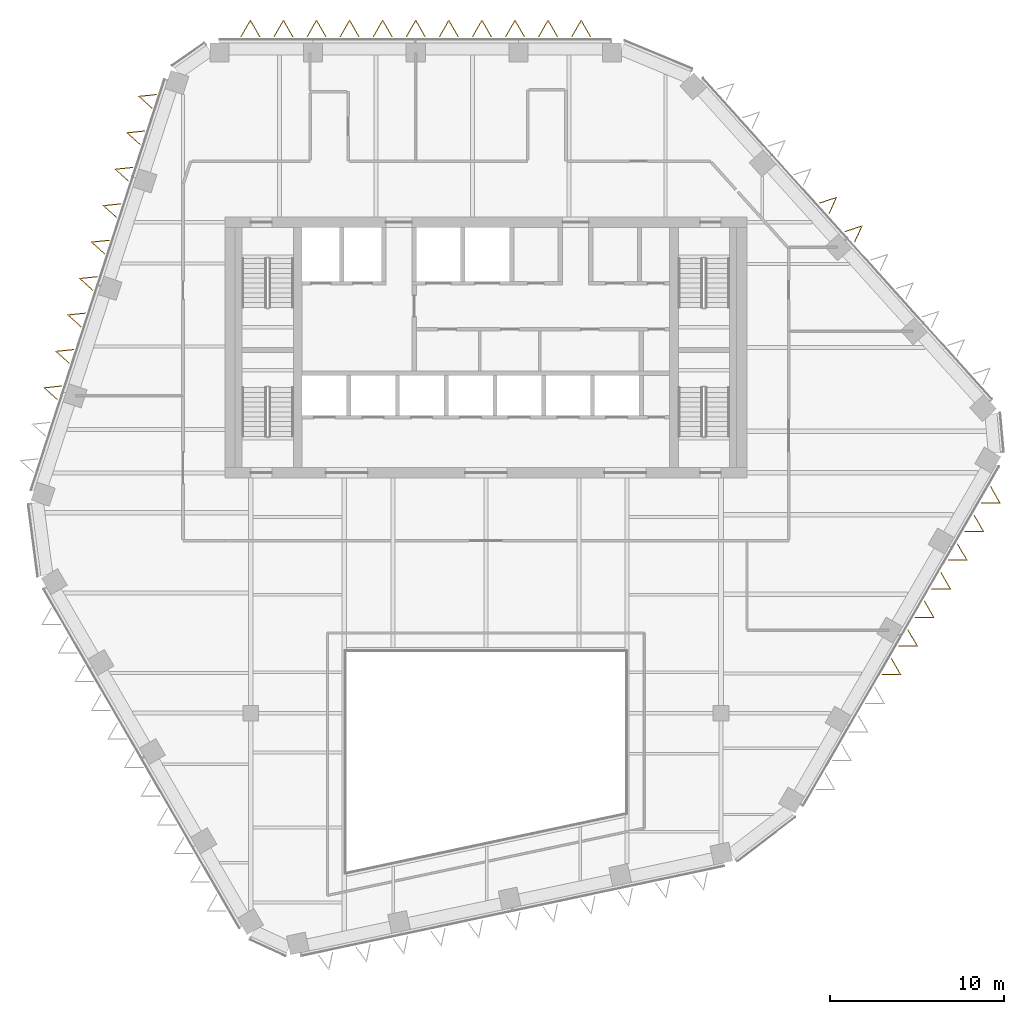
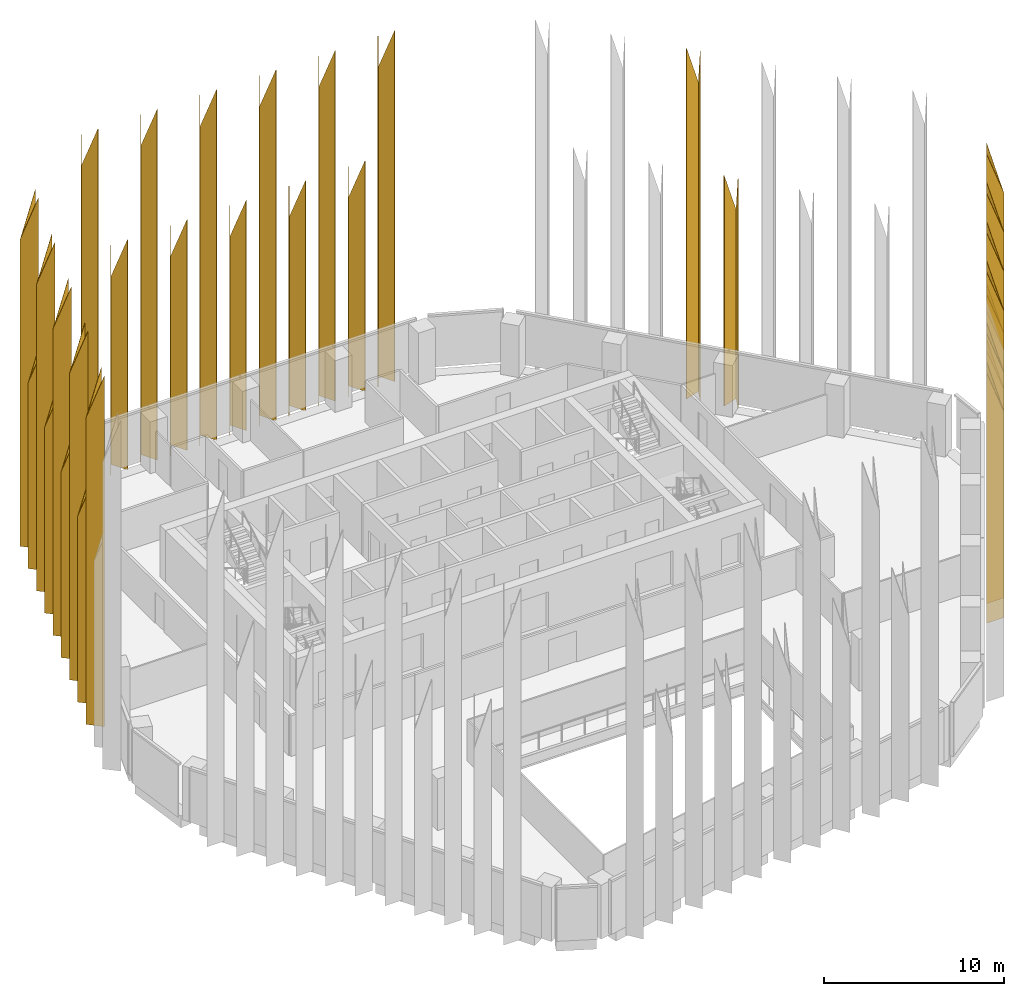
# One storey, part 17 of 18: 29 coverings.
"""IFC4 building model written with IfcOpenShell, lengths in metres."""

from ifc_helpers import new_model, si_unit, direction, frame, origin, place, context, subcontext, project, spatial, polyline, outline, faceted_brep, material, material_profile, profile_set, type_object, element, save


model = new_model("IFC4")

# Units and contexts
model_context = context("Model", 3, precision=1e-05, world=origin(), true_north=direction((0.0, 1.0)))
body_context = subcontext(model_context, "Body", "Model", "MODEL_VIEW")
ifc_project = project(units=[si_unit("LENGTHUNIT", "METRE"), si_unit("AREAUNIT", "SQUARE_METRE"), si_unit("VOLUMEUNIT", "CUBIC_METRE"), si_unit("PLANEANGLEUNIT", "RADIAN"), si_unit("MASSUNIT", "GRAM", prefix="KILO")], contexts=[model_context])

# Site, building, storey
site_placement = place(None, origin())
site = spatial("IfcSite", under=ifc_project, at=site_placement, CompositionType="ELEMENT")
building_placement = place(site_placement, origin())
building = spatial("IfcBuilding", under=site, at=building_placement, Name="Isthmus Gate Tower", CompositionType="ELEMENT")
storey_placement = place(building_placement, frame((0.0, 0.0, 238.199951171875)))
storey = spatial("IfcBuildingStorey", under=building, at=storey_placement, Name="L60", CompositionType="ELEMENT", Elevation=238.199951171875)

# Coverings
ifc_material_1 = material(Name="Structural steel ASTM A572 Gr 50, white paint system", Category="steel")
ifc_material_profile_1 = material_profile(ifc_material_1, outline(polyline([(0.0, -0.427490234375), (0.9599609375, 0.0), (0.0, 0.427490234375), (0.0, 0.39453125), (0.88623046875, 0.0), (0.0, -0.39453125), (0.0, -0.427490234375)])), Name="V960")
ifc_profile_set_1 = profile_set([ifc_material_profile_1], Name="Structural steel ASTM A572 Gr 50, white paint system")
covering_type_1 = type_object("IfcCoveringType", Name="FIN V 960 DEEP", PredefinedType="CLADDING", material=ifc_profile_set_1)
covering_1_placement = place(storey_placement, frame((0.0, 0.0, -238.199951171875)))
element("IfcCovering", 1, at=covering_1_placement, inside=storey, type_object=covering_type_1, Name="FIN", ObjectType="FIN", PredefinedType="CLADDING", context=body_context, shape_type="Brep", body=[
    faceted_brep([(-18.92822265625, 22.01171875, 237.800048828125), (-19.892822265625, 21.910400390625, 237.800048828125), (-19.171875, 21.26123046875, 237.800048828125), (-19.18212890625, 21.22998046875, 237.800048828125), (-19.963134765625, 21.93310546875, 237.800048828125), (-18.91796875, 22.04296875, 237.800048828125), (-18.91796875, 22.04296875, 261.550048828125), (-19.963134765625, 21.93310546875, 258.550048828125), (-19.18212890625, 21.22998046875, 261.550048828125), (-19.171875, 21.26123046875, 261.550048828125), (-19.892822265625, 21.910400390625, 258.780517578125), (-18.92822265625, 22.01171875, 261.550048828125)], [[[0, 1, 2, 3, 4, 5]], [[6, 7, 8, 9, 10, 11]], [[5, 4, 7, 6]], [[4, 3, 8, 7]], [[3, 2, 9, 8]], [[2, 1, 10, 9]], [[1, 0, 11, 10]], [[0, 5, 6, 11]]]),
])
covering_2_placement = place(storey_placement, frame((0.0, 0.0, -238.199951171875)))
element("IfcCovering", 2, at=covering_2_placement, inside=storey, type_object=covering_type_1, Name="FIN", ObjectType="FIN", PredefinedType="CLADDING", context=body_context, shape_type="Brep", body=[
    faceted_brep([(-19.608154296875, 19.91943359375, 237.800048828125), (-20.57275390625, 19.818115234375, 237.800048828125), (-19.851806640625, 19.1689453125, 237.800048828125), (-19.862060546875, 19.1376953125, 237.800048828125), (-20.64306640625, 19.8408203125, 237.800048828125), (-19.597900390625, 19.95068359375, 237.800048828125), (-19.597900390625, 19.95068359375, 253.39990234375), (-20.64306640625, 19.8408203125, 250.39990234375), (-19.862060546875, 19.1376953125, 253.39990234375), (-19.851806640625, 19.1689453125, 253.39990234375), (-20.57275390625, 19.818115234375, 250.63037109375), (-19.608154296875, 19.91943359375, 253.39990234375)], [[[0, 1, 2, 3, 4, 5]], [[6, 7, 8, 9, 10, 11]], [[5, 4, 7, 6]], [[4, 3, 8, 7]], [[3, 2, 9, 8]], [[2, 1, 10, 9]], [[1, 0, 11, 10]], [[0, 5, 6, 11]]]),
])
covering_3_placement = place(storey_placement, frame((0.0, 0.0, -238.199951171875)))
element("IfcCovering", 3, at=covering_3_placement, inside=storey, type_object=covering_type_1, Name="FIN", ObjectType="FIN", PredefinedType="CLADDING", context=body_context, shape_type="Brep", body=[
    faceted_brep([(-20.287841796875, 17.826904296875, 237.800048828125), (-21.25244140625, 17.7255859375, 237.800048828125), (-20.531494140625, 17.076416015625, 237.800048828125), (-20.541748046875, 17.045166015625, 237.800048828125), (-21.32275390625, 17.748291015625, 237.800048828125), (-20.277587890625, 17.858154296875, 237.800048828125), (-20.277587890625, 17.858154296875, 261.550048828125), (-21.32275390625, 17.748291015625, 258.550048828125), (-20.541748046875, 17.045166015625, 261.550048828125), (-20.531494140625, 17.076416015625, 261.550048828125), (-21.25244140625, 17.7255859375, 258.780517578125), (-20.287841796875, 17.826904296875, 261.550048828125)], [[[0, 1, 2, 3, 4, 5]], [[6, 7, 8, 9, 10, 11]], [[5, 4, 7, 6]], [[4, 3, 8, 7]], [[3, 2, 9, 8]], [[2, 1, 10, 9]], [[1, 0, 11, 10]], [[0, 5, 6, 11]]]),
])
covering_4_placement = place(storey_placement, frame((0.0, 0.0, -238.199951171875)))
element("IfcCovering", 4, at=covering_4_placement, inside=storey, type_object=covering_type_1, Name="FIN", ObjectType="FIN", PredefinedType="CLADDING", context=body_context, shape_type="Brep", body=[
    faceted_brep([(-20.9677734375, 15.734619140625, 237.800048828125), (-21.932373046875, 15.63330078125, 237.800048828125), (-21.21142578125, 14.984130859375, 237.800048828125), (-21.2216796875, 14.952880859375, 237.800048828125), (-22.002685546875, 15.656005859375, 237.800048828125), (-20.95751953125, 15.765869140625, 237.800048828125), (-20.95751953125, 15.765869140625, 253.39990234375), (-22.002685546875, 15.656005859375, 250.39990234375), (-21.2216796875, 14.952880859375, 253.39990234375), (-21.21142578125, 14.984130859375, 253.39990234375), (-21.932373046875, 15.63330078125, 250.63037109375), (-20.9677734375, 15.734619140625, 253.39990234375)], [[[0, 1, 2, 3, 4, 5]], [[6, 7, 8, 9, 10, 11]], [[5, 4, 7, 6]], [[4, 3, 8, 7]], [[3, 2, 9, 8]], [[2, 1, 10, 9]], [[1, 0, 11, 10]], [[0, 5, 6, 11]]]),
])
covering_5_placement = place(storey_placement, frame((0.0, 0.0, -238.199951171875)))
element("IfcCovering", 5, at=covering_5_placement, inside=storey, type_object=covering_type_1, Name="FIN", ObjectType="FIN", PredefinedType="CLADDING", context=body_context, shape_type="Brep", body=[
    faceted_brep([(-21.6474609375, 13.642333984375, 237.800048828125), (-22.612060546875, 13.541015625, 237.800048828125), (-21.89111328125, 12.891845703125, 237.800048828125), (-21.9013671875, 12.860595703125, 237.800048828125), (-22.682373046875, 13.563720703125, 237.800048828125), (-21.63720703125, 13.673583984375, 237.800048828125), (-21.63720703125, 13.673583984375, 261.550048828125), (-22.682373046875, 13.563720703125, 258.550048828125), (-21.9013671875, 12.860595703125, 261.550048828125), (-21.89111328125, 12.891845703125, 261.550048828125), (-22.612060546875, 13.541015625, 258.780517578125), (-21.6474609375, 13.642333984375, 261.550048828125)], [[[0, 1, 2, 3, 4, 5]], [[6, 7, 8, 9, 10, 11]], [[5, 4, 7, 6]], [[4, 3, 8, 7]], [[3, 2, 9, 8]], [[2, 1, 10, 9]], [[1, 0, 11, 10]], [[0, 5, 6, 11]]]),
])
covering_6_placement = place(storey_placement, frame((0.0, 0.0, -238.199951171875)))
element("IfcCovering", 6, at=covering_6_placement, inside=storey, type_object=covering_type_1, Name="FIN", ObjectType="FIN", PredefinedType="CLADDING", context=body_context, shape_type="Brep", body=[
    faceted_brep([(-22.327392578125, 11.550048828125, 237.800048828125), (-23.2919921875, 11.44873046875, 237.800048828125), (-22.571044921875, 10.799560546875, 237.800048828125), (-22.581298828125, 10.768310546875, 237.800048828125), (-23.3623046875, 11.471435546875, 237.800048828125), (-22.317138671875, 11.581298828125, 237.800048828125), (-22.317138671875, 11.581298828125, 253.39990234375), (-23.3623046875, 11.471435546875, 250.39990234375), (-22.581298828125, 10.768310546875, 253.39990234375), (-22.571044921875, 10.799560546875, 253.39990234375), (-23.2919921875, 11.44873046875, 250.63037109375), (-22.327392578125, 11.550048828125, 253.39990234375)], [[[0, 1, 2, 3, 4, 5]], [[6, 7, 8, 9, 10, 11]], [[5, 4, 7, 6]], [[4, 3, 8, 7]], [[3, 2, 9, 8]], [[2, 1, 10, 9]], [[1, 0, 11, 10]], [[0, 5, 6, 11]]]),
])
covering_7_placement = place(storey_placement, frame((0.0, 0.0, -238.199951171875)))
element("IfcCovering", 7, at=covering_7_placement, inside=storey, type_object=covering_type_1, Name="FIN", ObjectType="FIN", PredefinedType="CLADDING", context=body_context, shape_type="Brep", body=[
    faceted_brep([(-23.00732421875, 9.457763671875, 237.800048828125), (-23.971923828125, 9.3564453125, 237.800048828125), (-23.2509765625, 8.707275390625, 237.800048828125), (-23.26123046875, 8.676025390625, 237.800048828125), (-24.042236328125, 9.379150390625, 237.800048828125), (-22.9970703125, 9.489013671875, 237.800048828125), (-22.9970703125, 9.489013671875, 261.550048828125), (-24.042236328125, 9.379150390625, 258.550048828125), (-23.26123046875, 8.676025390625, 261.550048828125), (-23.2509765625, 8.707275390625, 261.550048828125), (-23.971923828125, 9.3564453125, 258.780517578125), (-23.00732421875, 9.457763671875, 261.550048828125)], [[[0, 1, 2, 3, 4, 5]], [[6, 7, 8, 9, 10, 11]], [[5, 4, 7, 6]], [[4, 3, 8, 7]], [[3, 2, 9, 8]], [[2, 1, 10, 9]], [[1, 0, 11, 10]], [[0, 5, 6, 11]]]),
])
covering_8_placement = place(storey_placement, frame((0.0, 0.0, -238.199951171875)))
element("IfcCovering", 8, at=covering_8_placement, inside=storey, type_object=covering_type_1, Name="FIN", ObjectType="FIN", PredefinedType="CLADDING", context=body_context, shape_type="Brep", body=[
    faceted_brep([(-23.68701171875, 7.365478515625, 237.800048828125), (-24.651611328125, 7.26416015625, 237.800048828125), (-23.9306640625, 6.614990234375, 237.800048828125), (-23.94091796875, 6.583740234375, 237.800048828125), (-24.721923828125, 7.286865234375, 237.800048828125), (-23.6767578125, 7.396728515625, 237.800048828125), (-23.6767578125, 7.396728515625, 253.39990234375), (-24.721923828125, 7.286865234375, 250.39990234375), (-23.94091796875, 6.583740234375, 253.39990234375), (-23.9306640625, 6.614990234375, 253.39990234375), (-24.651611328125, 7.26416015625, 250.63037109375), (-23.68701171875, 7.365478515625, 253.39990234375)], [[[0, 1, 2, 3, 4, 5]], [[6, 7, 8, 9, 10, 11]], [[5, 4, 7, 6]], [[4, 3, 8, 7]], [[3, 2, 9, 8]], [[2, 1, 10, 9]], [[1, 0, 11, 10]], [[0, 5, 6, 11]]]),
])
covering_9_placement = place(storey_placement, frame((0.0, 0.0, -238.199951171875)))
element("IfcCovering", 9, at=covering_9_placement, inside=storey, type_object=covering_type_1, Name="FIN", ObjectType="FIN", PredefinedType="CLADDING", context=body_context, shape_type="Brep", body=[
    faceted_brep([(-24.366943359375, 5.273193359375, 237.800048828125), (-25.33154296875, 5.171875, 237.800048828125), (-24.610595703125, 4.522705078125, 237.800048828125), (-24.620849609375, 4.491455078125, 237.800048828125), (-25.40185546875, 5.194580078125, 237.800048828125), (-24.356689453125, 5.304443359375, 237.800048828125), (-24.356689453125, 5.304443359375, 261.550048828125), (-25.40185546875, 5.194580078125, 258.550048828125), (-24.620849609375, 4.491455078125, 261.550048828125), (-24.610595703125, 4.522705078125, 261.550048828125), (-25.33154296875, 5.171875, 258.780517578125), (-24.366943359375, 5.273193359375, 261.550048828125)], [[[0, 1, 2, 3, 4, 5]], [[6, 7, 8, 9, 10, 11]], [[5, 4, 7, 6]], [[4, 3, 8, 7]], [[3, 2, 9, 8]], [[2, 1, 10, 9]], [[1, 0, 11, 10]], [[0, 5, 6, 11]]]),
])
covering_10_placement = place(storey_placement, frame((0.0, 0.0, -238.199951171875)))
element("IfcCovering", 10, at=covering_10_placement, inside=storey, type_object=covering_type_1, Name="FIN", ObjectType="FIN", PredefinedType="CLADDING", context=body_context, shape_type="Brep", body=[
    faceted_brep([(21.166259765625, 13.56103515625, 237.800048828125), (21.56103515625, 14.447265625, 237.800048828125), (20.638427734375, 14.1474609375, 237.800048828125), (20.616455078125, 14.171875, 237.800048828125), (21.61572265625, 14.49658203125, 237.800048828125), (21.188232421875, 13.53662109375, 237.800048828125), (21.188232421875, 13.53662109375, 253.39990234375), (21.61572265625, 14.49658203125, 250.39990234375), (20.616455078125, 14.171875, 253.39990234375), (20.638427734375, 14.1474609375, 253.39990234375), (21.56103515625, 14.447265625, 250.63037109375), (21.166259765625, 13.56103515625, 253.39990234375)], [[[0, 1, 2, 3, 4, 5]], [[6, 7, 8, 9, 10, 11]], [[5, 4, 7, 6]], [[4, 3, 8, 7]], [[3, 2, 9, 8]], [[2, 1, 10, 9]], [[1, 0, 11, 10]], [[0, 5, 6, 11]]]),
])
covering_11_placement = place(storey_placement, frame((0.0, 0.0, -238.199951171875)))
element("IfcCovering", 11, at=covering_11_placement, inside=storey, type_object=covering_type_1, Name="FIN", ObjectType="FIN", PredefinedType="CLADDING", context=body_context, shape_type="Brep", body=[
    faceted_brep([(19.694091796875, 15.19580078125, 237.800048828125), (20.0888671875, 16.08203125, 237.800048828125), (19.166259765625, 15.7822265625, 237.800048828125), (19.144287109375, 15.806640625, 237.800048828125), (20.1435546875, 16.13134765625, 237.800048828125), (19.716064453125, 15.17138671875, 237.800048828125), (19.716064453125, 15.17138671875, 261.550048828125), (20.1435546875, 16.13134765625, 258.550048828125), (19.144287109375, 15.806640625, 261.550048828125), (19.166259765625, 15.7822265625, 261.550048828125), (20.0888671875, 16.08203125, 258.780517578125), (19.694091796875, 15.19580078125, 261.550048828125)], [[[0, 1, 2, 3, 4, 5]], [[6, 7, 8, 9, 10, 11]], [[5, 4, 7, 6]], [[4, 3, 8, 7]], [[3, 2, 9, 8]], [[2, 1, 10, 9]], [[1, 0, 11, 10]], [[0, 5, 6, 11]]]),
])
ifc_material_2 = material(Name="Structural steel ASTM A572 Gr 50, white paint system", Category="steel")
ifc_material_profile_2 = material_profile(ifc_material_2, outline(polyline([(0.0, -0.55419921875), (0.9599609375, 0.0), (0.0, 0.55419921875), (0.0, 0.51953125), (0.89990234375, 0.0), (0.0, -0.51953125), (0.0, -0.55419921875)])), Name="V960W")
ifc_profile_set_2 = profile_set([ifc_material_profile_2], Name="Structural steel ASTM A572 Gr 50, white paint system")
covering_type_2 = type_object("IfcCoveringType", Name="FIN V 960 DEEP WIDE", PredefinedType="CLADDING", material=ifc_profile_set_2)
covering_12_placement = place(storey_placement, frame((0.0, 0.0, -238.199951171875)))
element("IfcCovering", 12, at=covering_12_placement, inside=storey, type_object=covering_type_2, Name="FIN", ObjectType="FIN", PredefinedType="CLADDING", context=body_context, shape_type="Brep", body=[
    faceted_brep([(5.989501953125, 25.35009765625, 237.800048828125), (5.469970703125, 26.25, 237.800048828125), (4.950439453125, 25.35009765625, 237.800048828125), (4.915771484375, 25.35009765625, 237.800048828125), (5.469970703125, 26.31005859375, 237.800048828125), (6.024169921875, 25.35009765625, 237.800048828125), (6.024169921875, 25.35009765625, 261.550048828125), (5.469970703125, 26.31005859375, 258.550048828125), (4.915771484375, 25.35009765625, 261.550048828125), (4.950439453125, 25.35009765625, 261.550048828125), (5.469970703125, 26.25, 258.737548828125), (5.989501953125, 25.35009765625, 261.550048828125)], [[[0, 1, 2, 3, 4, 5]], [[6, 7, 8, 9, 10, 11]], [[5, 4, 7, 6]], [[4, 3, 8, 7]], [[3, 2, 9, 8]], [[2, 1, 10, 9]], [[1, 0, 11, 10]], [[0, 5, 6, 11]]]),
])
covering_13_placement = place(storey_placement, frame((0.0, 0.0, -238.199951171875)))
element("IfcCovering", 13, at=covering_13_placement, inside=storey, type_object=covering_type_2, Name="FIN", ObjectType="FIN", PredefinedType="CLADDING", context=body_context, shape_type="Brep", body=[
    faceted_brep([(4.08935546875, 25.35009765625, 237.800048828125), (3.56982421875, 26.25, 237.800048828125), (3.05029296875, 25.35009765625, 237.800048828125), (3.015625, 25.35009765625, 237.800048828125), (3.56982421875, 26.31005859375, 237.800048828125), (4.1240234375, 25.35009765625, 237.800048828125), (4.1240234375, 25.35009765625, 253.39990234375), (3.56982421875, 26.31005859375, 250.39990234375), (3.015625, 25.35009765625, 253.39990234375), (3.05029296875, 25.35009765625, 253.39990234375), (3.56982421875, 26.25, 250.58740234375), (4.08935546875, 25.35009765625, 253.39990234375)], [[[0, 1, 2, 3, 4, 5]], [[6, 7, 8, 9, 10, 11]], [[5, 4, 7, 6]], [[4, 3, 8, 7]], [[3, 2, 9, 8]], [[2, 1, 10, 9]], [[1, 0, 11, 10]], [[0, 5, 6, 11]]]),
])
covering_14_placement = place(storey_placement, frame((0.0, 0.0, -238.199951171875)))
element("IfcCovering", 14, at=covering_14_placement, inside=storey, type_object=covering_type_2, Name="FIN", ObjectType="FIN", PredefinedType="CLADDING", context=body_context, shape_type="Brep", body=[
    faceted_brep([(2.189453125, 25.35009765625, 237.800048828125), (1.669921875, 26.25, 237.800048828125), (1.150390625, 25.35009765625, 237.800048828125), (1.11572265625, 25.35009765625, 237.800048828125), (1.669921875, 26.31005859375, 237.800048828125), (2.22412109375, 25.35009765625, 237.800048828125), (2.22412109375, 25.35009765625, 261.550048828125), (1.669921875, 26.31005859375, 258.550048828125), (1.11572265625, 25.35009765625, 261.550048828125), (1.150390625, 25.35009765625, 261.550048828125), (1.669921875, 26.25, 258.737548828125), (2.189453125, 25.35009765625, 261.550048828125)], [[[0, 1, 2, 3, 4, 5]], [[6, 7, 8, 9, 10, 11]], [[5, 4, 7, 6]], [[4, 3, 8, 7]], [[3, 2, 9, 8]], [[2, 1, 10, 9]], [[1, 0, 11, 10]], [[0, 5, 6, 11]]]),
])
covering_15_placement = place(storey_placement, frame((0.0, 0.0, -238.199951171875)))
element("IfcCovering", 15, at=covering_15_placement, inside=storey, type_object=covering_type_2, Name="FIN", ObjectType="FIN", PredefinedType="CLADDING", context=body_context, shape_type="Brep", body=[
    faceted_brep([(0.28955078125, 25.35009765625, 237.800048828125), (-0.22998046875, 26.25, 237.800048828125), (-0.74951171875, 25.35009765625, 237.800048828125), (-0.7841796875, 25.35009765625, 237.800048828125), (-0.22998046875, 26.31005859375, 237.800048828125), (0.32421875, 25.35009765625, 237.800048828125), (0.32421875, 25.35009765625, 253.39990234375), (-0.22998046875, 26.31005859375, 250.39990234375), (-0.7841796875, 25.35009765625, 253.39990234375), (-0.74951171875, 25.35009765625, 253.39990234375), (-0.22998046875, 26.25, 250.58740234375), (0.28955078125, 25.35009765625, 253.39990234375)], [[[0, 1, 2, 3, 4, 5]], [[6, 7, 8, 9, 10, 11]], [[5, 4, 7, 6]], [[4, 3, 8, 7]], [[3, 2, 9, 8]], [[2, 1, 10, 9]], [[1, 0, 11, 10]], [[0, 5, 6, 11]]]),
])
covering_16_placement = place(storey_placement, frame((0.0, 0.0, -238.199951171875)))
element("IfcCovering", 16, at=covering_16_placement, inside=storey, type_object=covering_type_2, Name="FIN", ObjectType="FIN", PredefinedType="CLADDING", context=body_context, shape_type="Brep", body=[
    faceted_brep([(-1.610595703125, 25.35009765625, 237.800048828125), (-2.130126953125, 26.25, 237.800048828125), (-2.649658203125, 25.35009765625, 237.800048828125), (-2.684326171875, 25.35009765625, 237.800048828125), (-2.130126953125, 26.31005859375, 237.800048828125), (-1.575927734375, 25.35009765625, 237.800048828125), (-1.575927734375, 25.35009765625, 261.550048828125), (-2.130126953125, 26.31005859375, 258.550048828125), (-2.684326171875, 25.35009765625, 261.550048828125), (-2.649658203125, 25.35009765625, 261.550048828125), (-2.130126953125, 26.25, 258.737548828125), (-1.610595703125, 25.35009765625, 261.550048828125)], [[[0, 1, 2, 3, 4, 5]], [[6, 7, 8, 9, 10, 11]], [[5, 4, 7, 6]], [[4, 3, 8, 7]], [[3, 2, 9, 8]], [[2, 1, 10, 9]], [[1, 0, 11, 10]], [[0, 5, 6, 11]]]),
])
covering_17_placement = place(storey_placement, frame((0.0, 0.0, -238.199951171875)))
element("IfcCovering", 17, at=covering_17_placement, inside=storey, type_object=covering_type_2, Name="FIN", ObjectType="FIN", PredefinedType="CLADDING", context=body_context, shape_type="Brep", body=[
    faceted_brep([(-3.510498046875, 25.35009765625, 237.800048828125), (-4.030029296875, 26.25, 237.800048828125), (-4.549560546875, 25.35009765625, 237.800048828125), (-4.584228515625, 25.35009765625, 237.800048828125), (-4.030029296875, 26.31005859375, 237.800048828125), (-3.475830078125, 25.35009765625, 237.800048828125), (-3.475830078125, 25.35009765625, 253.39990234375), (-4.030029296875, 26.31005859375, 250.39990234375), (-4.584228515625, 25.35009765625, 253.39990234375), (-4.549560546875, 25.35009765625, 253.39990234375), (-4.030029296875, 26.25, 250.58740234375), (-3.510498046875, 25.35009765625, 253.39990234375)], [[[0, 1, 2, 3, 4, 5]], [[6, 7, 8, 9, 10, 11]], [[5, 4, 7, 6]], [[4, 3, 8, 7]], [[3, 2, 9, 8]], [[2, 1, 10, 9]], [[1, 0, 11, 10]], [[0, 5, 6, 11]]]),
])
covering_18_placement = place(storey_placement, frame((0.0, 0.0, -238.199951171875)))
element("IfcCovering", 18, at=covering_18_placement, inside=storey, type_object=covering_type_2, Name="FIN", ObjectType="FIN", PredefinedType="CLADDING", context=body_context, shape_type="Brep", body=[
    faceted_brep([(-5.41064453125, 25.35009765625, 237.800048828125), (-5.93017578125, 26.25, 237.800048828125), (-6.44970703125, 25.35009765625, 237.800048828125), (-6.484375, 25.35009765625, 237.800048828125), (-5.93017578125, 26.31005859375, 237.800048828125), (-5.3759765625, 25.35009765625, 237.800048828125), (-5.3759765625, 25.35009765625, 261.550048828125), (-5.93017578125, 26.31005859375, 258.550048828125), (-6.484375, 25.35009765625, 261.550048828125), (-6.44970703125, 25.35009765625, 261.550048828125), (-5.93017578125, 26.25, 258.737548828125), (-5.41064453125, 25.35009765625, 261.550048828125)], [[[0, 1, 2, 3, 4, 5]], [[6, 7, 8, 9, 10, 11]], [[5, 4, 7, 6]], [[4, 3, 8, 7]], [[3, 2, 9, 8]], [[2, 1, 10, 9]], [[1, 0, 11, 10]], [[0, 5, 6, 11]]]),
])
covering_19_placement = place(storey_placement, frame((0.0, 0.0, -238.199951171875)))
element("IfcCovering", 19, at=covering_19_placement, inside=storey, type_object=covering_type_2, Name="FIN", ObjectType="FIN", PredefinedType="CLADDING", context=body_context, shape_type="Brep", body=[
    faceted_brep([(-7.310546875, 25.35009765625, 237.800048828125), (-7.830078125, 26.25, 237.800048828125), (-8.349609375, 25.35009765625, 237.800048828125), (-8.38427734375, 25.35009765625, 237.800048828125), (-7.830078125, 26.31005859375, 237.800048828125), (-7.27587890625, 25.35009765625, 237.800048828125), (-7.27587890625, 25.35009765625, 253.39990234375), (-7.830078125, 26.31005859375, 250.39990234375), (-8.38427734375, 25.35009765625, 253.39990234375), (-8.349609375, 25.35009765625, 253.39990234375), (-7.830078125, 26.25, 250.58740234375), (-7.310546875, 25.35009765625, 253.39990234375)], [[[0, 1, 2, 3, 4, 5]], [[6, 7, 8, 9, 10, 11]], [[5, 4, 7, 6]], [[4, 3, 8, 7]], [[3, 2, 9, 8]], [[2, 1, 10, 9]], [[1, 0, 11, 10]], [[0, 5, 6, 11]]]),
])
covering_20_placement = place(storey_placement, frame((0.0, 0.0, -238.199951171875)))
element("IfcCovering", 20, at=covering_20_placement, inside=storey, type_object=covering_type_2, Name="FIN", ObjectType="FIN", PredefinedType="CLADDING", context=body_context, shape_type="Brep", body=[
    faceted_brep([(-9.21044921875, 25.35009765625, 237.800048828125), (-9.72998046875, 26.25, 237.800048828125), (-10.24951171875, 25.35009765625, 237.800048828125), (-10.2841796875, 25.35009765625, 237.800048828125), (-9.72998046875, 26.31005859375, 237.800048828125), (-9.17578125, 25.35009765625, 237.800048828125), (-9.17578125, 25.35009765625, 261.550048828125), (-9.72998046875, 26.31005859375, 258.550048828125), (-10.2841796875, 25.35009765625, 261.550048828125), (-10.24951171875, 25.35009765625, 261.550048828125), (-9.72998046875, 26.25, 258.737548828125), (-9.21044921875, 25.35009765625, 261.550048828125)], [[[0, 1, 2, 3, 4, 5]], [[6, 7, 8, 9, 10, 11]], [[5, 4, 7, 6]], [[4, 3, 8, 7]], [[3, 2, 9, 8]], [[2, 1, 10, 9]], [[1, 0, 11, 10]], [[0, 5, 6, 11]]]),
])
covering_21_placement = place(storey_placement, frame((0.0, 0.0, -238.199951171875)))
element("IfcCovering", 21, at=covering_21_placement, inside=storey, type_object=covering_type_2, Name="FIN", ObjectType="FIN", PredefinedType="CLADDING", context=body_context, shape_type="Brep", body=[
    faceted_brep([(-11.110595703125, 25.35009765625, 237.800048828125), (-11.630126953125, 26.25, 237.800048828125), (-12.149658203125, 25.35009765625, 237.800048828125), (-12.184326171875, 25.35009765625, 237.800048828125), (-11.630126953125, 26.31005859375, 237.800048828125), (-11.075927734375, 25.35009765625, 237.800048828125), (-11.075927734375, 25.35009765625, 253.39990234375), (-11.630126953125, 26.31005859375, 250.39990234375), (-12.184326171875, 25.35009765625, 253.39990234375), (-12.149658203125, 25.35009765625, 253.39990234375), (-11.630126953125, 26.25, 250.58740234375), (-11.110595703125, 25.35009765625, 253.39990234375)], [[[0, 1, 2, 3, 4, 5]], [[6, 7, 8, 9, 10, 11]], [[5, 4, 7, 6]], [[4, 3, 8, 7]], [[3, 2, 9, 8]], [[2, 1, 10, 9]], [[1, 0, 11, 10]], [[0, 5, 6, 11]]]),
])
covering_22_placement = place(storey_placement, frame((0.0, 0.0, -238.199951171875)))
element("IfcCovering", 22, at=covering_22_placement, inside=storey, type_object=covering_type_2, Name="FIN", ObjectType="FIN", PredefinedType="CLADDING", context=body_context, shape_type="Brep", body=[
    faceted_brep([(-13.010498046875, 25.35009765625, 237.800048828125), (-13.530029296875, 26.25, 237.800048828125), (-14.049560546875, 25.35009765625, 237.800048828125), (-14.084228515625, 25.35009765625, 237.800048828125), (-13.530029296875, 26.31005859375, 237.800048828125), (-12.975830078125, 25.35009765625, 237.800048828125), (-12.975830078125, 25.35009765625, 261.550048828125), (-13.530029296875, 26.31005859375, 258.550048828125), (-14.084228515625, 25.35009765625, 261.550048828125), (-14.049560546875, 25.35009765625, 261.550048828125), (-13.530029296875, 26.25, 258.737548828125), (-13.010498046875, 25.35009765625, 261.550048828125)], [[[0, 1, 2, 3, 4, 5]], [[6, 7, 8, 9, 10, 11]], [[5, 4, 7, 6]], [[4, 3, 8, 7]], [[3, 2, 9, 8]], [[2, 1, 10, 9]], [[1, 0, 11, 10]], [[0, 5, 6, 11]]]),
])
covering_23_placement = place(storey_placement, frame((0.0, 0.0, -238.199951171875)))
element("IfcCovering", 23, at=covering_23_placement, inside=storey, type_object=covering_type_2, Name="FIN", ObjectType="FIN", PredefinedType="CLADDING", context=body_context, shape_type="Brep", body=[
    faceted_brep([(22.759033203125, -11.2802734375, 237.800048828125), (23.79833984375, -11.2802734375, 237.800048828125), (23.278564453125, -10.38037109375, 237.800048828125), (23.2958984375, -10.350341796875, 237.800048828125), (23.85009765625, -11.310302734375, 237.800048828125), (22.74169921875, -11.310302734375, 237.800048828125), (22.74169921875, -11.310302734375, 261.550048828125), (23.85009765625, -11.310302734375, 258.550048828125), (23.2958984375, -10.350341796875, 261.550048828125), (23.278564453125, -10.38037109375, 261.550048828125), (23.79833984375, -11.2802734375, 258.737548828125), (22.759033203125, -11.2802734375, 261.550048828125)], [[[0, 1, 2, 3, 4, 5]], [[6, 7, 8, 9, 10, 11]], [[5, 4, 7, 6]], [[4, 3, 8, 7]], [[3, 2, 9, 8]], [[2, 1, 10, 9]], [[1, 0, 11, 10]], [[0, 5, 6, 11]]]),
])
covering_24_placement = place(storey_placement, frame((0.0, 0.0, -238.199951171875)))
element("IfcCovering", 24, at=covering_24_placement, inside=storey, type_object=covering_type_2, Name="FIN", ObjectType="FIN", PredefinedType="CLADDING", context=body_context, shape_type="Brep", body=[
    faceted_brep([(23.708984375, -9.634765625, 237.800048828125), (24.748291015625, -9.634765625, 237.800048828125), (24.228515625, -8.73486328125, 237.800048828125), (24.245849609375, -8.704833984375, 237.800048828125), (24.800048828125, -9.664794921875, 237.800048828125), (23.691650390625, -9.664794921875, 237.800048828125), (23.691650390625, -9.664794921875, 253.39990234375), (24.800048828125, -9.664794921875, 250.39990234375), (24.245849609375, -8.704833984375, 253.39990234375), (24.228515625, -8.73486328125, 253.39990234375), (24.748291015625, -9.634765625, 250.58740234375), (23.708984375, -9.634765625, 253.39990234375)], [[[0, 1, 2, 3, 4, 5]], [[6, 7, 8, 9, 10, 11]], [[5, 4, 7, 6]], [[4, 3, 8, 7]], [[3, 2, 9, 8]], [[2, 1, 10, 9]], [[1, 0, 11, 10]], [[0, 5, 6, 11]]]),
])
covering_25_placement = place(storey_placement, frame((0.0, 0.0, -238.199951171875)))
element("IfcCovering", 25, at=covering_25_placement, inside=storey, type_object=covering_type_2, Name="FIN", ObjectType="FIN", PredefinedType="CLADDING", context=body_context, shape_type="Brep", body=[
    faceted_brep([(24.658935546875, -7.9892578125, 237.800048828125), (25.6982421875, -7.9892578125, 237.800048828125), (25.178466796875, -7.08935546875, 237.800048828125), (25.19580078125, -7.059326171875, 237.800048828125), (25.75, -8.019287109375, 237.800048828125), (24.6416015625, -8.019287109375, 237.800048828125), (24.6416015625, -8.019287109375, 261.550048828125), (25.75, -8.019287109375, 258.550048828125), (25.19580078125, -7.059326171875, 261.550048828125), (25.178466796875, -7.08935546875, 261.550048828125), (25.6982421875, -7.9892578125, 258.737548828125), (24.658935546875, -7.9892578125, 261.550048828125)], [[[0, 1, 2, 3, 4, 5]], [[6, 7, 8, 9, 10, 11]], [[5, 4, 7, 6]], [[4, 3, 8, 7]], [[3, 2, 9, 8]], [[2, 1, 10, 9]], [[1, 0, 11, 10]], [[0, 5, 6, 11]]]),
])
covering_26_placement = place(storey_placement, frame((0.0, 0.0, -238.199951171875)))
element("IfcCovering", 26, at=covering_26_placement, inside=storey, type_object=covering_type_2, Name="FIN", ObjectType="FIN", PredefinedType="CLADDING", context=body_context, shape_type="Brep", body=[
    faceted_brep([(25.609130859375, -6.343994140625, 237.800048828125), (26.6484375, -6.343994140625, 237.800048828125), (26.128662109375, -5.444091796875, 237.800048828125), (26.14599609375, -5.4140625, 237.800048828125), (26.7001953125, -6.3740234375, 237.800048828125), (25.591796875, -6.3740234375, 237.800048828125), (25.591796875, -6.3740234375, 253.39990234375), (26.7001953125, -6.3740234375, 250.39990234375), (26.14599609375, -5.4140625, 253.39990234375), (26.128662109375, -5.444091796875, 253.39990234375), (26.6484375, -6.343994140625, 250.58740234375), (25.609130859375, -6.343994140625, 253.39990234375)], [[[0, 1, 2, 3, 4, 5]], [[6, 7, 8, 9, 10, 11]], [[5, 4, 7, 6]], [[4, 3, 8, 7]], [[3, 2, 9, 8]], [[2, 1, 10, 9]], [[1, 0, 11, 10]], [[0, 5, 6, 11]]]),
])
covering_27_placement = place(storey_placement, frame((0.0, 0.0, -238.199951171875)))
element("IfcCovering", 27, at=covering_27_placement, inside=storey, type_object=covering_type_2, Name="FIN", ObjectType="FIN", PredefinedType="CLADDING", context=body_context, shape_type="Brep", body=[
    faceted_brep([(26.55908203125, -4.698486328125, 237.800048828125), (27.598388671875, -4.698486328125, 237.800048828125), (27.07861328125, -3.798583984375, 237.800048828125), (27.095947265625, -3.7685546875, 237.800048828125), (27.650146484375, -4.728515625, 237.800048828125), (26.541748046875, -4.728515625, 237.800048828125), (26.541748046875, -4.728515625, 261.550048828125), (27.650146484375, -4.728515625, 258.550048828125), (27.095947265625, -3.7685546875, 261.550048828125), (27.07861328125, -3.798583984375, 261.550048828125), (27.598388671875, -4.698486328125, 258.737548828125), (26.55908203125, -4.698486328125, 261.550048828125)], [[[0, 1, 2, 3, 4, 5]], [[6, 7, 8, 9, 10, 11]], [[5, 4, 7, 6]], [[4, 3, 8, 7]], [[3, 2, 9, 8]], [[2, 1, 10, 9]], [[1, 0, 11, 10]], [[0, 5, 6, 11]]]),
])
covering_28_placement = place(storey_placement, frame((0.0, 0.0, -238.199951171875)))
element("IfcCovering", 28, at=covering_28_placement, inside=storey, type_object=covering_type_2, Name="FIN", ObjectType="FIN", PredefinedType="CLADDING", context=body_context, shape_type="Brep", body=[
    faceted_brep([(27.509033203125, -3.052978515625, 237.800048828125), (28.54833984375, -3.052978515625, 237.800048828125), (28.028564453125, -2.153076171875, 237.800048828125), (28.0458984375, -2.123046875, 237.800048828125), (28.60009765625, -3.0830078125, 237.800048828125), (27.49169921875, -3.0830078125, 237.800048828125), (27.49169921875, -3.0830078125, 253.39990234375), (28.60009765625, -3.0830078125, 250.39990234375), (28.0458984375, -2.123046875, 253.39990234375), (28.028564453125, -2.153076171875, 253.39990234375), (28.54833984375, -3.052978515625, 250.58740234375), (27.509033203125, -3.052978515625, 253.39990234375)], [[[0, 1, 2, 3, 4, 5]], [[6, 7, 8, 9, 10, 11]], [[5, 4, 7, 6]], [[4, 3, 8, 7]], [[3, 2, 9, 8]], [[2, 1, 10, 9]], [[1, 0, 11, 10]], [[0, 5, 6, 11]]]),
])
covering_29_placement = place(storey_placement, frame((0.0, 0.0, -238.199951171875)))
element("IfcCovering", 29, at=covering_29_placement, inside=storey, type_object=covering_type_2, Name="FIN", ObjectType="FIN", PredefinedType="CLADDING", context=body_context, shape_type="Brep", body=[
    faceted_brep([(28.458984375, -1.407470703125, 237.800048828125), (29.498291015625, -1.407470703125, 237.800048828125), (28.978515625, -0.507568359375, 237.800048828125), (28.995849609375, -0.4775390625, 237.800048828125), (29.550048828125, -1.4375, 237.800048828125), (28.441650390625, -1.4375, 237.800048828125), (28.441650390625, -1.4375, 261.550048828125), (29.550048828125, -1.4375, 258.550048828125), (28.995849609375, -0.4775390625, 261.550048828125), (28.978515625, -0.507568359375, 261.550048828125), (29.498291015625, -1.407470703125, 258.737548828125), (28.458984375, -1.407470703125, 261.550048828125)], [[[0, 1, 2, 3, 4, 5]], [[6, 7, 8, 9, 10, 11]], [[5, 4, 7, 6]], [[4, 3, 8, 7]], [[3, 2, 9, 8]], [[2, 1, 10, 9]], [[1, 0, 11, 10]], [[0, 5, 6, 11]]]),
])

save(model, "model.ifc")
